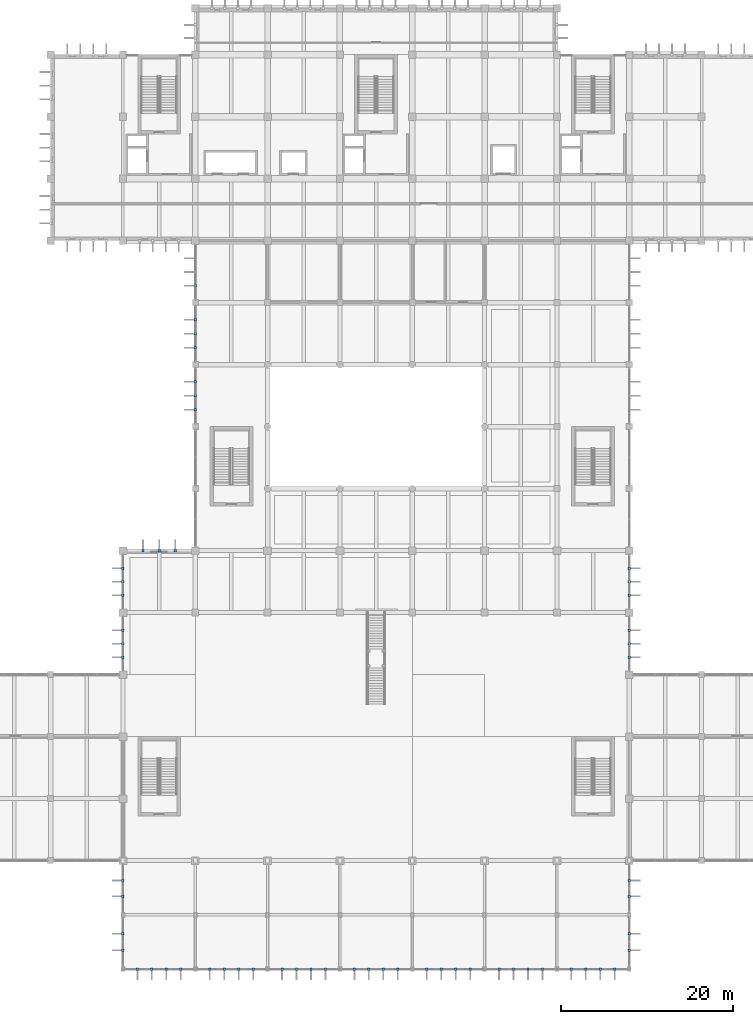
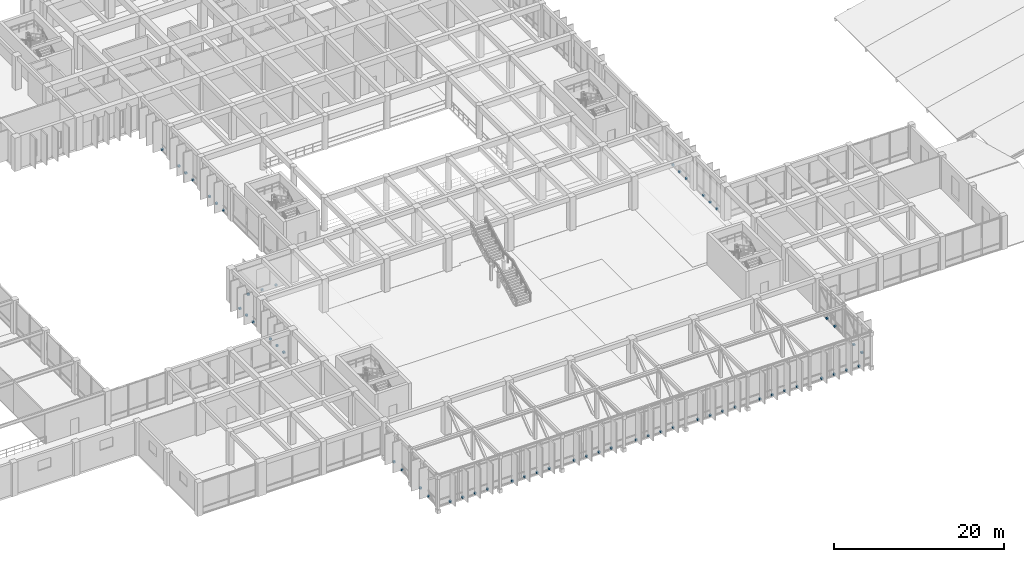
# One storey, part 39 of 51: 58 discrete accessories.
"""IFC4 building model written with IfcOpenShell, lengths in metres."""

from ifc_helpers import new_model, si_unit, direction, frame, origin, origin_2d, place, context, subcontext, project, spatial, rectangle, extrude, material, type_object, element, save


model = new_model("IFC4")

# Units and contexts
model_context = context("Model", 3, precision=1e-05, world=origin(), true_north=direction((0.0, 1.0)))
body_context = subcontext(model_context, "Body", "Model", "MODEL_VIEW")
ifc_project = project(units=[si_unit("LENGTHUNIT", "METRE"), si_unit("AREAUNIT", "SQUARE_METRE"), si_unit("VOLUMEUNIT", "CUBIC_METRE"), si_unit("PLANEANGLEUNIT", "RADIAN"), si_unit("MASSUNIT", "GRAM", prefix="KILO")], contexts=[model_context])

# Site, building, storey
site_placement = place(None, origin())
site = spatial("IfcSite", under=ifc_project, at=site_placement, CompositionType="ELEMENT")
building_placement = place(site_placement, origin())
building = spatial("IfcBuilding", under=site, at=building_placement, Name="Kenerak Square Central Library", CompositionType="ELEMENT")
storey_placement = place(building_placement, frame((0.0, 0.0, 9.60009765625)))
storey = spatial("IfcBuildingStorey", under=building, at=storey_placement, Name="L02", CompositionType="ELEMENT", Elevation=9.60009765625)

# Discrete accessories
ifc_material = material(Name="Steel S355", Category="steel")
discrete_accessory_type = type_object("IfcDiscreteAccessoryType", Name="Solar Fin Structural Cleat Bracket BRK-S355", PredefinedType="BRACKET", material=ifc_material)
for number, where, z_axis, x_axis, name in (
    (1, (58.39990234375, 40.425048828125, 0.0), (0.0, 0.0, 1.0), (0.0, 1.0, 0.0), "Solar Fin Cleat Bracket BRK-01 L02 0071"),
    (2, (58.39990234375, 42.0, 0.0), (0.0, 0.0, 1.0), (0.0, 1.0, 0.0), "Solar Fin Cleat Bracket BRK-01 L02 0072"),
    (3, (58.39990234375, 43.574951171875, 0.0), (0.0, 0.0, 1.0), (0.0, 1.0, 0.0), "Solar Fin Cleat Bracket BRK-01 L02 0073"),
    (4, (58.39990234375, 47.625, 0.0), (0.0, 0.0, 1.0), (0.0, 1.0, 0.0), "Solar Fin Cleat Bracket BRK-01 L02 0074"),
    (5, (58.39990234375, 49.199951171875, 0.0), (0.0, 0.0, 1.0), (0.0, 1.0, 0.0), "Solar Fin Cleat Bracket BRK-01 L02 0075"),
    (6, (58.39990234375, 50.77490234375, 0.0), (0.0, 0.0, 1.0), (0.0, 1.0, 0.0), "Solar Fin Cleat Bracket BRK-01 L02 0076"),
    (7, (60.72509765625, 52.800048828125, 0.0), (0.0, 0.0, 1.0), (1.0, 0.0, 0.0), "Solar Fin Cleat Bracket BRK-01 L02 0077"),
    (8, (62.60009765625, 52.800048828125, 0.0), (0.0, 0.0, 1.0), (1.0, 0.0, 0.0), "Solar Fin Cleat Bracket BRK-01 L02 0078"),
    (9, (64.47509765625, 52.800048828125, 0.0), (0.0, 0.0, 1.0), (1.0, 0.0, 0.0), "Solar Fin Cleat Bracket BRK-01 L02 0079"),
    (10, (66.800048828125, 69.175048828125, 0.0), (0.0, 0.0, 1.0), (0.0, 1.0, 0.0), "Solar Fin Cleat Bracket BRK-01 L02 0080"),
    (11, (66.800048828125, 70.800048828125, 0.0), (0.0, 0.0, 1.0), (0.0, 1.0, 0.0), "Solar Fin Cleat Bracket BRK-01 L02 0081"),
    (12, (66.800048828125, 72.425048828125, 0.0), (0.0, 0.0, 1.0), (0.0, 1.0, 0.0), "Solar Fin Cleat Bracket BRK-01 L02 0082"),
    (13, (66.800048828125, 76.375, 0.0), (0.0, 0.0, 1.0), (0.0, 1.0, 0.0), "Solar Fin Cleat Bracket BRK-01 L02 0083"),
    (14, (66.800048828125, 78.0, 0.0), (0.0, 0.0, 1.0), (0.0, 1.0, 0.0), "Solar Fin Cleat Bracket BRK-01 L02 0084"),
    (15, (66.800048828125, 79.625, 0.0), (0.0, 0.0, 1.0), (0.0, 1.0, 0.0), "Solar Fin Cleat Bracket BRK-01 L02 0085"),
    (16, (66.800048828125, 83.556396484375, 0.0), (0.0, 0.0, 1.0), (0.0, 1.0, 0.0), "Solar Fin Cleat Bracket BRK-01 L02 0086"),
    (17, (117.199951171875, 50.77490234375, 0.0), (0.0, 0.0, 1.0), (0.0, -1.0, 0.0), "Solar Fin Cleat Bracket BRK-01 L02 0168"),
    (18, (117.199951171875, 49.199951171875, 0.0), (0.0, 0.0, 1.0), (0.0, -1.0, 0.0), "Solar Fin Cleat Bracket BRK-01 L02 0169"),
    (19, (117.199951171875, 47.625, 0.0), (0.0, 0.0, 1.0), (0.0, -1.0, 0.0), "Solar Fin Cleat Bracket BRK-01 L02 0170"),
    (20, (117.199951171875, 43.574951171875, 0.0), (0.0, 0.0, 1.0), (0.0, -1.0, 0.0), "Solar Fin Cleat Bracket BRK-01 L02 0171"),
    (21, (117.199951171875, 42.0, 0.0), (0.0, 0.0, 1.0), (0.0, -1.0, 0.0), "Solar Fin Cleat Bracket BRK-01 L02 0172"),
    (22, (117.199951171875, 40.425048828125, 0.0), (0.0, 0.0, 1.0), (0.0, -1.0, 0.0), "Solar Fin Cleat Bracket BRK-01 L02 0173"),
    (23, (117.199951171875, 14.5, 0.0), (0.0, 0.0, 1.0), (0.0, -1.0, 0.0), "Solar Fin Cleat Bracket BRK-01 L02 0174"),
    (24, (117.199951171875, 12.64990234375, 0.0), (0.0, 0.0, 1.0), (0.0, -1.0, 0.0), "Solar Fin Cleat Bracket BRK-01 L02 0175"),
    (25, (117.199951171875, 8.300048828125, 0.0), (0.0, 0.0, 1.0), (0.0, -1.0, 0.0), "Solar Fin Cleat Bracket BRK-01 L02 0176"),
    (26, (117.199951171875, 6.39990234375, 0.0), (0.0, 0.0, 1.0), (0.0, -1.0, 0.0), "Solar Fin Cleat Bracket BRK-01 L02 0177"),
    (27, (115.52001953125, 4.199951171875, 0.0), (0.0, 0.0, 1.0), (-1.0, 0.0, 0.0), "Solar Fin Cleat Bracket BRK-01 L02 0178"),
    (28, (113.840087890625, 4.199951171875, 0.0), (0.0, 0.0, 1.0), (-1.0, 0.0, 0.0), "Solar Fin Cleat Bracket BRK-01 L02 0179"),
    (29, (112.159912109375, 4.199951171875, 0.0), (0.0, 0.0, 1.0), (-1.0, 0.0, 0.0), "Solar Fin Cleat Bracket BRK-01 L02 0180"),
    (30, (110.47998046875, 4.199951171875, 0.0), (0.0, 0.0, 1.0), (-1.0, 0.0, 0.0), "Solar Fin Cleat Bracket BRK-01 L02 0181"),
    (31, (107.1201171875, 4.199951171875, 0.0), (0.0, 0.0, 1.0), (-1.0, 0.0, 0.0), "Solar Fin Cleat Bracket BRK-01 L02 0182"),
    (32, (105.43994140625, 4.199951171875, 0.0), (0.0, 0.0, 1.0), (-1.0, 0.0, 0.0), "Solar Fin Cleat Bracket BRK-01 L02 0183"),
    (33, (103.760009765625, 4.199951171875, 0.0), (0.0, 0.0, 1.0), (-1.0, 0.0, 0.0), "Solar Fin Cleat Bracket BRK-01 L02 0184"),
    (34, (102.080078125, 4.199951171875, 0.0), (0.0, 0.0, 1.0), (-1.0, 0.0, 0.0), "Solar Fin Cleat Bracket BRK-01 L02 0185"),
    (35, (98.719970703125, 4.199951171875, 0.0), (0.0, 0.0, 1.0), (-1.0, 0.0, 0.0), "Solar Fin Cleat Bracket BRK-01 L02 0186"),
    (36, (97.0400390625, 4.199951171875, 0.0), (0.0, 0.0, 1.0), (-1.0, 0.0, 0.0), "Solar Fin Cleat Bracket BRK-01 L02 0187"),
    (37, (95.360107421875, 4.199951171875, 0.0), (0.0, 0.0, 1.0), (-1.0, 0.0, 0.0), "Solar Fin Cleat Bracket BRK-01 L02 0188"),
    (38, (93.679931640625, 4.199951171875, 0.0), (0.0, 0.0, 1.0), (-1.0, 0.0, 0.0), "Solar Fin Cleat Bracket BRK-01 L02 0189"),
    (39, (90.320068359375, 4.199951171875, 0.0), (0.0, 0.0, 1.0), (-1.0, 0.0, 0.0), "Solar Fin Cleat Bracket BRK-01 L02 0190"),
    (40, (88.639892578125, 4.199951171875, 0.0), (0.0, 0.0, 1.0), (-1.0, 0.0, 0.0), "Solar Fin Cleat Bracket BRK-01 L02 0191"),
    (41, (86.9599609375, 4.199951171875, 0.0), (0.0, 0.0, 1.0), (-1.0, 0.0, 0.0), "Solar Fin Cleat Bracket BRK-01 L02 0192"),
    (42, (85.280029296875, 4.199951171875, 0.0), (0.0, 0.0, 1.0), (-1.0, 0.0, 0.0), "Solar Fin Cleat Bracket BRK-01 L02 0193"),
    (43, (81.919921875, 4.199951171875, 0.0), (0.0, 0.0, 1.0), (-1.0, 0.0, 0.0), "Solar Fin Cleat Bracket BRK-01 L02 0194"),
    (44, (80.239990234375, 4.199951171875, 0.0), (0.0, 0.0, 1.0), (-1.0, 0.0, 0.0), "Solar Fin Cleat Bracket BRK-01 L02 0195"),
    (45, (78.56005859375, 4.199951171875, 0.0), (0.0, 0.0, 1.0), (-1.0, 0.0, 0.0), "Solar Fin Cleat Bracket BRK-01 L02 0196"),
    (46, (76.8798828125, 4.199951171875, 0.0), (0.0, 0.0, 1.0), (-1.0, 0.0, 0.0), "Solar Fin Cleat Bracket BRK-01 L02 0197"),
    (47, (73.52001953125, 4.199951171875, 0.0), (0.0, 0.0, 1.0), (-1.0, 0.0, 0.0), "Solar Fin Cleat Bracket BRK-01 L02 0198"),
    (48, (71.840087890625, 4.199951171875, 0.0), (0.0, 0.0, 1.0), (-1.0, 0.0, 0.0), "Solar Fin Cleat Bracket BRK-01 L02 0199"),
    (49, (70.159912109375, 4.199951171875, 0.0), (0.0, 0.0, 1.0), (-1.0, 0.0, 0.0), "Solar Fin Cleat Bracket BRK-01 L02 0200"),
    (50, (68.47998046875, 4.199951171875, 0.0), (0.0, 0.0, 1.0), (-1.0, 0.0, 0.0), "Solar Fin Cleat Bracket BRK-01 L02 0201"),
    (51, (65.1201171875, 4.199951171875, 0.0), (0.0, 0.0, 1.0), (-1.0, 0.0, 0.0), "Solar Fin Cleat Bracket BRK-01 L02 0202"),
    (52, (63.43994140625, 4.199951171875, 0.0), (0.0, 0.0, 1.0), (-1.0, 0.0, 0.0), "Solar Fin Cleat Bracket BRK-01 L02 0203"),
    (53, (61.760009765625, 4.199951171875, 0.0), (0.0, 0.0, 1.0), (-1.0, 0.0, 0.0), "Solar Fin Cleat Bracket BRK-01 L02 0204"),
    (54, (60.080078125, 4.199951171875, 0.0), (0.0, 0.0, 1.0), (-1.0, 0.0, 0.0), "Solar Fin Cleat Bracket BRK-01 L02 0205"),
    (55, (58.39990234375, 6.39990234375, 0.0), (0.0, 0.0, 1.0), (0.0, 1.0, 0.0), "Solar Fin Cleat Bracket BRK-01 L02 0206"),
    (56, (58.39990234375, 8.300048828125, 0.0), (0.0, 0.0, 1.0), (0.0, 1.0, 0.0), "Solar Fin Cleat Bracket BRK-01 L02 0207"),
    (57, (58.39990234375, 12.64990234375, 0.0), (0.0, 0.0, 1.0), (0.0, 1.0, 0.0), "Solar Fin Cleat Bracket BRK-01 L02 0208"),
    (58, (58.39990234375, 14.5, 0.0), (0.0, 0.0, 1.0), (0.0, 1.0, 0.0), "Solar Fin Cleat Bracket BRK-01 L02 0209"),
):
    element("IfcDiscreteAccessory", number, at=place(storey_placement, frame(where, z_axis=z_axis, x_axis=x_axis)), inside=storey, type_object=discrete_accessory_type, Name=name, PredefinedType="BRACKET", context=body_context, shape_type="SweptSolid", body=[
        extrude(rectangle(XDim=0.280029296875, YDim=0.280029296875, at=origin_2d()), origin(), (0.0, 0.0, 1.0), 0.239990234375),
    ])

save(model, "model.ifc")
